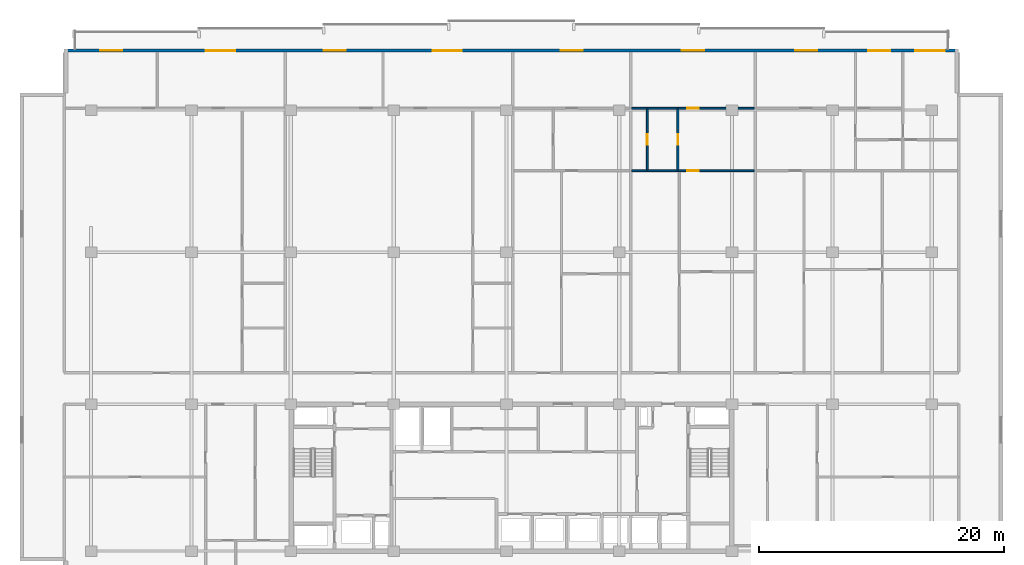
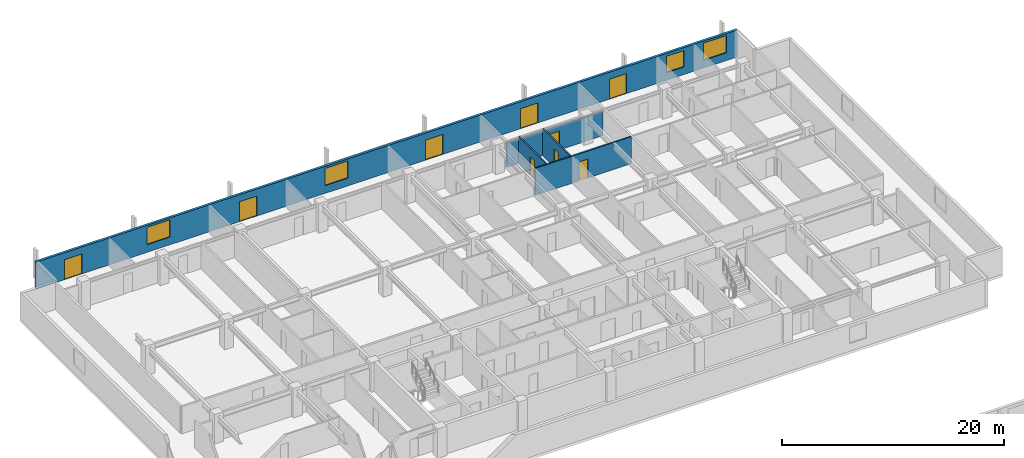
# One storey, part 14 of 21: 9 doors, 5 walls, 4 windows, 13 openings.
"""IFC4 building model written with IfcOpenShell, lengths in metres."""

from ifc_helpers import new_model, si_unit, direction, frame, frame_2d, origin, place, context, subcontext, project, spatial, rectangle, extrude, material, layer, layer_set, type_object, element, fill, save


model = new_model("IFC4")

# Units and contexts
model_context = context("Model", 3, precision=1e-05, world=origin(), true_north=direction((0.0, 1.0)))
body_context = subcontext(model_context, "Body", "Model", "MODEL_VIEW")
ifc_project = project(units=[si_unit("LENGTHUNIT", "METRE"), si_unit("AREAUNIT", "SQUARE_METRE"), si_unit("VOLUMEUNIT", "CUBIC_METRE"), si_unit("PLANEANGLEUNIT", "RADIAN"), si_unit("MASSUNIT", "GRAM", prefix="KILO")], contexts=[model_context])

# Site, building, storey
site_placement = place(None, origin())
site = spatial("IfcSite", under=ifc_project, at=site_placement, CompositionType="ELEMENT")
building_placement = place(site_placement, origin())
building = spatial("IfcBuilding", under=site, at=building_placement, Name="Korimba Cascade Residences", CompositionType="ELEMENT")
storey_placement = place(building_placement, frame((0.0, 0.0, 103.550048828125)))
storey = spatial("IfcBuildingStorey", under=building, at=storey_placement, Name="L29", CompositionType="ELEMENT", Elevation=103.550048828125)

# Wall, openings, doors, windows
ifc_material_1 = material(Name="Precast concrete C40/50", Category="concrete")
ifc_layer_1 = layer(ifc_material_1, 0.25)
ifc_layer_set_1 = layer_set([ifc_layer_1], Name="Precast concrete C40/50")
wall_type_1 = type_object("IfcWallType", Name="EW-LOG-250", PredefinedType="STANDARD", material=ifc_layer_set_1)
wall_1_placement = place(storey_placement, frame((130.60009765625, 96.050048828125, 0.0), z_axis=(0.0, 0.0, 1.0), x_axis=(-1.0, 0.0, 0.0)))
wall_1 = element("IfcWall", 1, at=wall_1_placement, inside=storey, type_object=wall_type_1, Name="L29 T1 Perimeter Stone Wall E06", PredefinedType="STANDARD", context=body_context, shape_type="SweptSolid", body=[
    extrude(rectangle(XDim=73.0, YDim=0.25, at=frame_2d((36.5, 0.0))), origin(), (0.0, 0.0, 1.0), 2.969970703125),
])
opening_1_placement = place(wall_1_placement, frame((68.241943359375, 0.0, 0.0)))
opening_1 = element("IfcOpeningElement", 2, at=opening_1_placement, cuts=wall_1, Name="Opening D-LG1", PredefinedType="OPENING", context=body_context, shape_type="SweptSolid", body=[
    extrude(rectangle(XDim=1.800048828125, YDim=2.199951171875, at=frame_2d((0.89990234375, 1.10009765625))), frame((0.0, 0.135009765625, 0.0), z_axis=(0.0, -1.0, 0.0), x_axis=(1.0, 0.0, 0.0)), (0.0, 0.0, 1.0), 0.27001953125),
])
opening_2_placement = place(wall_1_placement, frame((59.0458984375, 0.0, 0.85009765625)))
opening_2 = element("IfcOpeningElement", 3, at=opening_2_placement, cuts=wall_1, Name="Opening W-01", PredefinedType="OPENING", context=body_context, shape_type="SweptSolid", body=[
    extrude(rectangle(XDim=2.39990234375, YDim=1.89990234375, at=frame_2d((1.199951171875, 0.949951171875))), frame((0.0, 0.135009765625, 0.0), z_axis=(0.0, -1.0, 0.0), x_axis=(1.0, 0.0, 0.0)), (0.0, 0.0, 1.0), 0.27001953125),
])
opening_3_placement = place(wall_1_placement, frame((50.01220703125, 0.0, 0.0)))
opening_3 = element("IfcOpeningElement", 4, at=opening_3_placement, cuts=wall_1, Name="Opening D-LG1", PredefinedType="OPENING", context=body_context, shape_type="SweptSolid", body=[
    extrude(rectangle(XDim=1.800048828125, YDim=2.199951171875, at=frame_2d((0.89990234375, 1.10009765625))), frame((0.0, 0.135009765625, 0.0), z_axis=(0.0, -1.0, 0.0), x_axis=(1.0, 0.0, 0.0)), (0.0, 0.0, 1.0), 0.27001953125),
])
opening_4_placement = place(wall_1_placement, frame((40.535888671875, 0.0, 0.85009765625)))
opening_4 = element("IfcOpeningElement", 5, at=opening_4_placement, cuts=wall_1, Name="Opening W-01", PredefinedType="OPENING", context=body_context, shape_type="SweptSolid", body=[
    extrude(rectangle(XDim=2.39990234375, YDim=1.89990234375, at=frame_2d((1.199951171875, 0.949951171875))), frame((0.0, 0.135009765625, 0.0), z_axis=(0.0, -1.0, 0.0), x_axis=(1.0, 0.0, 0.0)), (0.0, 0.0, 1.0), 0.27001953125),
])
opening_5_placement = place(wall_1_placement, frame((30.67041015625, 0.0, 0.0)))
opening_5 = element("IfcOpeningElement", 6, at=opening_5_placement, cuts=wall_1, Name="Opening D-LG1", PredefinedType="OPENING", context=body_context, shape_type="SweptSolid", body=[
    extrude(rectangle(XDim=1.800048828125, YDim=2.199951171875, at=frame_2d((0.89990234375, 1.10009765625))), frame((0.0, 0.135009765625, 0.0), z_axis=(0.0, -1.0, 0.0), x_axis=(1.0, 0.0, 0.0)), (0.0, 0.0, 1.0), 0.27001953125),
])
opening_6_placement = place(wall_1_placement, frame((20.781005859375, 0.0, 0.0)))
opening_6 = element("IfcOpeningElement", 7, at=opening_6_placement, cuts=wall_1, Name="Opening D-LG1", PredefinedType="OPENING", context=body_context, shape_type="SweptSolid", body=[
    extrude(rectangle(XDim=1.800048828125, YDim=2.199951171875, at=frame_2d((0.89990234375, 1.10009765625))), frame((0.0, 0.135009765625, 0.0), z_axis=(0.0, -1.0, 0.0), x_axis=(1.0, 0.0, 0.0)), (0.0, 0.0, 1.0), 0.27001953125),
])
opening_7_placement = place(wall_1_placement, frame((5.5849609375, 0.0, 0.85009765625)))
opening_7 = element("IfcOpeningElement", 8, at=opening_7_placement, cuts=wall_1, Name="Opening W-02", PredefinedType="OPENING", context=body_context, shape_type="SweptSolid", body=[
    extrude(rectangle(XDim=1.800048828125, YDim=1.800048828125, at=frame_2d((0.89990234375, 0.89990234375))), frame((0.0, 0.135009765625, 0.0), z_axis=(0.0, -1.0, 0.0), x_axis=(1.0, 0.0, 0.0)), (0.0, 0.0, 1.0), 0.27001953125),
])
opening_8_placement = place(wall_1_placement, frame((11.548095703125, 0.0, 0.0)))
opening_8 = element("IfcOpeningElement", 9, at=opening_8_placement, cuts=wall_1, Name="Opening D-LG1", PredefinedType="OPENING", context=body_context, shape_type="SweptSolid", body=[
    extrude(rectangle(XDim=1.800048828125, YDim=2.199951171875, at=frame_2d((0.89990234375, 1.10009765625))), frame((0.0, 0.135009765625, 0.0), z_axis=(0.0, -1.0, 0.0), x_axis=(1.0, 0.0, 0.0)), (0.0, 0.0, 1.0), 0.27001953125),
])
opening_9_placement = place(wall_1_placement, frame((1.135009765625, 0.0, 0.85009765625)))
opening_9 = element("IfcOpeningElement", 10, at=opening_9_placement, cuts=wall_1, Name="Opening W-01", PredefinedType="OPENING", context=body_context, shape_type="SweptSolid", body=[
    extrude(rectangle(XDim=2.39990234375, YDim=1.89990234375, at=frame_2d((1.199951171875, 0.949951171875))), frame((0.0, 0.135009765625, 0.0), z_axis=(0.0, -1.0, 0.0), x_axis=(1.0, 0.0, 0.0)), (0.0, 0.0, 1.0), 0.27001953125),
])
ifc_material_2 = material(Name="Glazed Aluminium Loggia Sliding Door", Category="aluminium")
door_type_1 = type_object("IfcDoorType", Name="DR-EXT-LOG", OperationType="NOTDEFINED", PredefinedType="DOOR", material=ifc_material_2)
door_1_placement = place(opening_1_placement, origin())
door_1 = element("IfcDoor", 11, at=door_1_placement, inside=storey, type_object=door_type_1, Name="L29 T1 Loggia Sliding Door 3", OperationType="SLIDING_TO_LEFT", OverallHeight=2.199951171875, OverallWidth=1.800048828125, PredefinedType="DOOR", context=body_context, shape_type="SweptSolid", body=[
    extrude(rectangle(XDim=1.800048828125, YDim=2.199951171875, at=frame_2d((0.89990234375, 1.10009765625))), frame((0.0, 0.02490234375, 0.0), z_axis=(0.0, -1.0, 0.0), x_axis=(1.0, 0.0, 0.0)), (0.0, 0.0, 1.0), 0.050048828125),
])
fill(opening_1, door_1)
door_2_placement = place(opening_3_placement, origin())
door_2 = element("IfcDoor", 12, at=door_2_placement, inside=storey, type_object=door_type_1, Name="L29 T1 Loggia Sliding Door 5", OperationType="SLIDING_TO_LEFT", OverallHeight=2.199951171875, OverallWidth=1.800048828125, PredefinedType="DOOR", context=body_context, shape_type="SweptSolid", body=[
    extrude(rectangle(XDim=1.800048828125, YDim=2.199951171875, at=frame_2d((0.89990234375, 1.10009765625))), frame((0.0, 0.02490234375, 0.0), z_axis=(0.0, -1.0, 0.0), x_axis=(1.0, 0.0, 0.0)), (0.0, 0.0, 1.0), 0.050048828125),
])
fill(opening_3, door_2)
door_3_placement = place(opening_5_placement, origin())
door_3 = element("IfcDoor", 13, at=door_3_placement, inside=storey, type_object=door_type_1, Name="L29 T1 Loggia Sliding Door 7", OperationType="SLIDING_TO_LEFT", OverallHeight=2.199951171875, OverallWidth=1.800048828125, PredefinedType="DOOR", context=body_context, shape_type="SweptSolid", body=[
    extrude(rectangle(XDim=1.800048828125, YDim=2.199951171875, at=frame_2d((0.89990234375, 1.10009765625))), frame((0.0, 0.02490234375, 0.0), z_axis=(0.0, -1.0, 0.0), x_axis=(1.0, 0.0, 0.0)), (0.0, 0.0, 1.0), 0.050048828125),
])
fill(opening_5, door_3)
door_4_placement = place(opening_6_placement, origin())
door_4 = element("IfcDoor", 14, at=door_4_placement, inside=storey, type_object=door_type_1, Name="L29 T1 Loggia Sliding Door 8", OperationType="SLIDING_TO_LEFT", OverallHeight=2.199951171875, OverallWidth=1.800048828125, PredefinedType="DOOR", context=body_context, shape_type="SweptSolid", body=[
    extrude(rectangle(XDim=1.800048828125, YDim=2.199951171875, at=frame_2d((0.89990234375, 1.10009765625))), frame((0.0, 0.02490234375, 0.0), z_axis=(0.0, -1.0, 0.0), x_axis=(1.0, 0.0, 0.0)), (0.0, 0.0, 1.0), 0.050048828125),
])
fill(opening_6, door_4)
door_5_placement = place(opening_8_placement, origin())
door_5 = element("IfcDoor", 15, at=door_5_placement, inside=storey, type_object=door_type_1, Name="L29 T1 Loggia Sliding Door 10", OperationType="SLIDING_TO_LEFT", OverallHeight=2.199951171875, OverallWidth=1.800048828125, PredefinedType="DOOR", context=body_context, shape_type="SweptSolid", body=[
    extrude(rectangle(XDim=1.800048828125, YDim=2.199951171875, at=frame_2d((0.89990234375, 1.10009765625))), frame((0.0, 0.02490234375, 0.0), z_axis=(0.0, -1.0, 0.0), x_axis=(1.0, 0.0, 0.0)), (0.0, 0.0, 1.0), 0.050048828125),
])
fill(opening_8, door_5)
ifc_material_3 = material(Name="Double-Glazed Aluminium Window", Category="aluminium")
window_type_1 = type_object("IfcWindowType", Name="WIN-BED-1800", PartitioningType="SINGLE_PANEL", PredefinedType="WINDOW", material=ifc_material_3)
window_1_placement = place(opening_7_placement, origin())
window_1 = element("IfcWindow", 16, at=window_1_placement, inside=storey, type_object=window_type_1, Name="L29 T1 North Facade Window 9", OverallHeight=1.800048828125, OverallWidth=1.800048828125, PartitioningType="SINGLE_PANEL", PredefinedType="WINDOW", context=body_context, shape_type="SweptSolid", body=[
    extrude(rectangle(XDim=1.800048828125, YDim=1.800048828125, at=frame_2d((0.89990234375, 0.89990234375))), frame((0.0, 0.030029296875, 0.0), z_axis=(0.0, -1.0, 0.0), x_axis=(1.0, 0.0, 0.0)), (0.0, 0.0, 1.0), 0.06005859375),
])
fill(opening_7, window_1)
window_type_2 = type_object("IfcWindowType", Name="WIN-RES-2400", PartitioningType="DOUBLE_PANEL_VERTICAL", PredefinedType="WINDOW", material=ifc_material_3)
window_2_placement = place(opening_2_placement, origin())
window_2 = element("IfcWindow", 17, at=window_2_placement, inside=storey, type_object=window_type_2, Name="L29 T1 North Facade Window 4", OverallHeight=1.89990234375, OverallWidth=2.39990234375, PartitioningType="DOUBLE_PANEL_VERTICAL", PredefinedType="WINDOW", context=body_context, shape_type="SweptSolid", body=[
    extrude(rectangle(XDim=2.39990234375, YDim=1.89990234375, at=frame_2d((1.199951171875, 0.949951171875))), frame((0.0, 0.030029296875, 0.0), z_axis=(0.0, -1.0, 0.0), x_axis=(1.0, 0.0, 0.0)), (0.0, 0.0, 1.0), 0.06005859375),
])
fill(opening_2, window_2)
window_3_placement = place(opening_4_placement, origin())
window_3 = element("IfcWindow", 18, at=window_3_placement, inside=storey, type_object=window_type_2, Name="L29 T1 North Facade Window 6", OverallHeight=1.89990234375, OverallWidth=2.39990234375, PartitioningType="DOUBLE_PANEL_VERTICAL", PredefinedType="WINDOW", context=body_context, shape_type="SweptSolid", body=[
    extrude(rectangle(XDim=2.39990234375, YDim=1.89990234375, at=frame_2d((1.199951171875, 0.949951171875))), frame((0.0, 0.030029296875, 0.0), z_axis=(0.0, -1.0, 0.0), x_axis=(1.0, 0.0, 0.0)), (0.0, 0.0, 1.0), 0.06005859375),
])
fill(opening_4, window_3)
window_4_placement = place(opening_9_placement, origin())
window_4 = element("IfcWindow", 19, at=window_4_placement, inside=storey, type_object=window_type_2, Name="L29 T1 North Facade Window 11", OverallHeight=1.89990234375, OverallWidth=2.39990234375, PartitioningType="DOUBLE_PANEL_VERTICAL", PredefinedType="WINDOW", context=body_context, shape_type="SweptSolid", body=[
    extrude(rectangle(XDim=2.39990234375, YDim=1.89990234375, at=frame_2d((1.199951171875, 0.949951171875))), frame((0.0, 0.030029296875, 0.0), z_axis=(0.0, -1.0, 0.0), x_axis=(1.0, 0.0, 0.0)), (0.0, 0.0, 1.0), 0.06005859375),
])
fill(opening_9, window_4)

# Wall, opening, door
ifc_material_4 = material(Name="Insulated Acoustic Stud Partition", Category="gypsum")
ifc_layer_2 = layer(ifc_material_4, 0.14990234375)
ifc_layer_set_2 = layer_set([ifc_layer_2], Name="Insulated Acoustic Stud Partition")
wall_type_2 = type_object("IfcWallType", Name="WAL-PART-150", PredefinedType="PARTITIONING", material=ifc_layer_set_2)
wall_2_placement = place(storey_placement, frame((105.183837890625, 86.2900390625, 0.0), z_axis=(0.0, 0.0, 1.0), x_axis=(0.0, 1.0, 0.0)))
wall_2 = element("IfcWall", 20, at=wall_2_placement, inside=storey, type_object=wall_type_2, Name="L29 Partition Wall WAL-L29-T1-U04-CLS", PredefinedType="PARTITIONING", context=body_context, shape_type="SweptSolid", body=[
    extrude(rectangle(XDim=5.0, YDim=0.14990234375, at=frame_2d((2.5, 0.0))), origin(), (0.0, 0.0, 1.0), 2.969970703125),
])
opening_10_placement = place(wall_2_placement, frame((2.080078125, 0.0, 0.0)))
opening_10 = element("IfcOpeningElement", 21, at=opening_10_placement, cuts=wall_2, Name="Opening D-BT1", PredefinedType="OPENING", context=body_context, shape_type="SweptSolid", body=[
    extrude(rectangle(XDim=0.840087890625, YDim=2.0400390625, at=frame_2d((0.419921875, 1.02001953125))), frame((0.0, 0.0849609375, 0.0), z_axis=(0.0, -1.0, 0.0), x_axis=(1.0, 0.0, 0.0)), (0.0, 0.0, 1.0), 0.169921875),
])
ifc_material_5 = material(Name="Moisture-Resistant Bathroom Timber Door", Category="wood")
door_type_2 = type_object("IfcDoorType", Name="DR-INT-850", OperationType="NOTDEFINED", PredefinedType="DOOR", material=ifc_material_5)
door_6_placement = place(opening_10_placement, origin())
door_6 = element("IfcDoor", 22, at=door_6_placement, inside=storey, type_object=door_type_2, Name="L29-T1-U04 Closet Door", OperationType="SINGLE_SWING_RIGHT", OverallHeight=2.0400390625, OverallWidth=0.840087890625, PredefinedType="DOOR", context=body_context, shape_type="SweptSolid", body=[
    extrude(rectangle(XDim=0.840087890625, YDim=2.0400390625, at=frame_2d((0.419921875, 1.02001953125))), frame((0.0, 0.02490234375, 0.0), z_axis=(0.0, -1.0, 0.0), x_axis=(1.0, 0.0, 0.0)), (0.0, 0.0, 1.0), 0.050048828125),
])
fill(opening_10, door_6)

wall_3_placement = place(storey_placement, frame((107.683837890625, 86.2900390625, 0.0), z_axis=(0.0, 0.0, 1.0), x_axis=(0.0, 1.0, 0.0)))
wall_3 = element("IfcWall", 23, at=wall_3_placement, inside=storey, type_object=wall_type_2, Name="L29 Partition Wall WAL-L29-T1-U04-BM", PredefinedType="PARTITIONING", context=body_context, shape_type="SweptSolid", body=[
    extrude(rectangle(XDim=5.0, YDim=0.14990234375, at=frame_2d((2.5, 0.0))), origin(), (0.0, 0.0, 1.0), 2.969970703125),
])
opening_11_placement = place(wall_3_placement, frame((2.080078125, 0.0, 0.0)))
opening_11 = element("IfcOpeningElement", 24, at=opening_11_placement, cuts=wall_3, Name="Opening D-BT1", PredefinedType="OPENING", context=body_context, shape_type="SweptSolid", body=[
    extrude(rectangle(XDim=0.840087890625, YDim=2.0400390625, at=frame_2d((0.419921875, 1.02001953125))), frame((0.0, 0.0849609375, 0.0), z_axis=(0.0, -1.0, 0.0), x_axis=(1.0, 0.0, 0.0)), (0.0, 0.0, 1.0), 0.169921875),
])
door_7_placement = place(opening_11_placement, origin())
door_7 = element("IfcDoor", 25, at=door_7_placement, inside=storey, type_object=door_type_2, Name="L29-T1-U04 Bathroom Door", OperationType="SINGLE_SWING_LEFT", OverallHeight=2.0400390625, OverallWidth=0.840087890625, PredefinedType="DOOR", context=body_context, shape_type="SweptSolid", body=[
    extrude(rectangle(XDim=0.840087890625, YDim=2.0400390625, at=frame_2d((0.419921875, 1.02001953125))), frame((0.0, 0.02490234375, 0.0), z_axis=(0.0, -1.0, 0.0), x_axis=(1.0, 0.0, 0.0)), (0.0, 0.0, 1.0), 0.050048828125),
])
fill(opening_11, door_7)

wall_4_placement = place(storey_placement, frame((103.9140625, 86.25, 0.0), z_axis=(0.0, 0.0, 1.0), x_axis=(1.0, 0.0, 0.0)))
wall_4 = element("IfcWall", 26, at=wall_4_placement, inside=storey, type_object=wall_type_2, Name="L29 Partition Wall WAL-L29-T1-U04-MW", PredefinedType="PARTITIONING", context=body_context, shape_type="SweptSolid", body=[
    extrude(rectangle(XDim=10.009765625, YDim=0.14990234375, at=frame_2d((5.0048828125, 0.0))), origin(), (0.0, 0.0, 1.0), 2.969970703125),
])
opening_12_placement = place(wall_4_placement, frame((4.544921875, 0.0, 0.0)))
opening_12 = element("IfcOpeningElement", 27, at=opening_12_placement, cuts=wall_4, Name="Opening D-IN1", PredefinedType="OPENING", context=body_context, shape_type="SweptSolid", body=[
    extrude(rectangle(XDim=0.919921875, YDim=2.080078125, at=frame_2d((0.4599609375, 1.0400390625))), frame((0.0, 0.0849609375, 0.0), z_axis=(0.0, -1.0, 0.0), x_axis=(1.0, 0.0, 0.0)), (0.0, 0.0, 1.0), 0.169921875),
])
ifc_material_6 = material(Name="Acoustic Timber Living Door", Category="wood")
door_type_3 = type_object("IfcDoorType", Name="DR-INT-920", OperationType="NOTDEFINED", PredefinedType="DOOR", material=ifc_material_6)
door_8_placement = place(opening_12_placement, origin())
door_8 = element("IfcDoor", 28, at=door_8_placement, inside=storey, type_object=door_type_3, Name="L29-T1-U04 Studio Kitchen Door", OperationType="SINGLE_SWING_RIGHT", OverallHeight=2.080078125, OverallWidth=0.919921875, PredefinedType="DOOR", context=body_context, shape_type="SweptSolid", body=[
    extrude(rectangle(XDim=0.919921875, YDim=2.080078125, at=frame_2d((0.4599609375, 1.0400390625))), frame((0.0, 0.02490234375, 0.0), z_axis=(0.0, -1.0, 0.0), x_axis=(1.0, 0.0, 0.0)), (0.0, 0.0, 1.0), 0.050048828125),
])
fill(opening_12, door_8)

wall_5_placement = place(storey_placement, frame((103.9140625, 91.35009765625, 0.0), z_axis=(0.0, 0.0, 1.0), x_axis=(1.0, 0.0, 0.0)))
wall_5 = element("IfcWall", 29, at=wall_5_placement, inside=storey, type_object=wall_type_2, Name="L29 Partition Wall WAL-L29-T1-U04-HZ", PredefinedType="PARTITIONING", context=body_context, shape_type="SweptSolid", body=[
    extrude(rectangle(XDim=10.009765625, YDim=0.14990234375, at=frame_2d((5.0048828125, 0.0))), origin(), (0.0, 0.0, 1.0), 2.663330078125),
])
opening_13_placement = place(wall_5_placement, frame((4.544921875, 0.0, 0.0)))
opening_13 = element("IfcOpeningElement", 30, at=opening_13_placement, cuts=wall_5, Name="Opening D-IN1", PredefinedType="OPENING", context=body_context, shape_type="SweptSolid", body=[
    extrude(rectangle(XDim=0.919921875, YDim=2.080078125, at=frame_2d((0.4599609375, 1.0400390625))), frame((0.0, 0.0849609375, 0.0), z_axis=(0.0, -1.0, 0.0), x_axis=(1.0, 0.0, 0.0)), (0.0, 0.0, 1.0), 0.169921875),
])
door_9_placement = place(opening_13_placement, origin())
door_9 = element("IfcDoor", 31, at=door_9_placement, inside=storey, type_object=door_type_3, Name="L29-T1-U04 Studio Door", OperationType="SINGLE_SWING_LEFT", OverallHeight=2.080078125, OverallWidth=0.919921875, PredefinedType="DOOR", context=body_context, shape_type="SweptSolid", body=[
    extrude(rectangle(XDim=0.919921875, YDim=2.080078125, at=frame_2d((0.4599609375, 1.0400390625))), frame((0.0, 0.02490234375, 0.0), z_axis=(0.0, -1.0, 0.0), x_axis=(1.0, 0.0, 0.0)), (0.0, 0.0, 1.0), 0.050048828125),
])
fill(opening_13, door_9)

save(model, "model.ifc")
